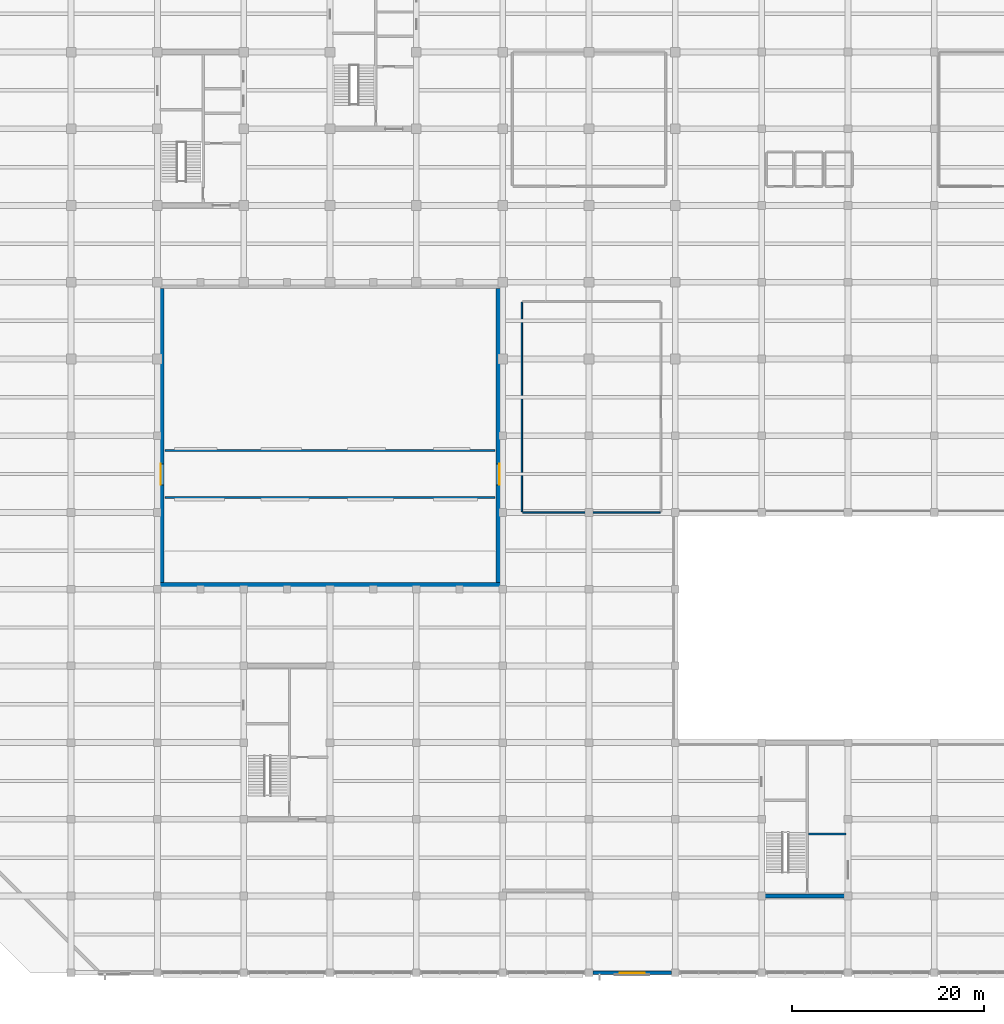
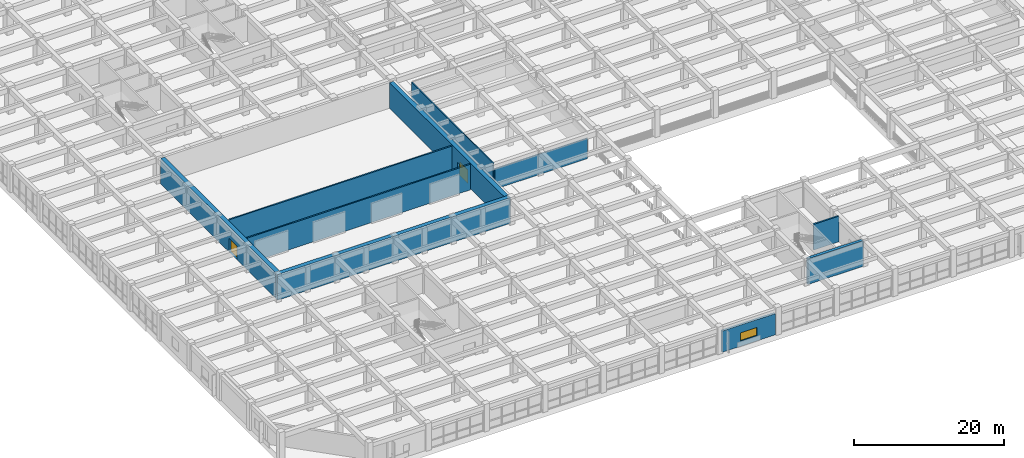
# One storey, part 26 of 50: 10 walls, 2 doors, 1 window, 3 openings.
"""IFC4 building model written with IfcOpenShell, lengths in metres."""

from ifc_helpers import new_model, si_unit, direction, frame, frame_2d, origin, place, context, subcontext, project, spatial, rectangle, extrude, material, layer, layer_set, type_object, element, fill, save


model = new_model("IFC4")

# Units and contexts
model_context = context("Model", 3, precision=1e-05, world=origin(), true_north=direction((0.0, 1.0)))
body_context = subcontext(model_context, "Body", "Model", "MODEL_VIEW")
ifc_project = project(units=[si_unit("LENGTHUNIT", "METRE"), si_unit("AREAUNIT", "SQUARE_METRE"), si_unit("VOLUMEUNIT", "CUBIC_METRE"), si_unit("PLANEANGLEUNIT", "RADIAN"), si_unit("MASSUNIT", "GRAM", prefix="KILO")], contexts=[model_context])

# Site, building, storey
site_placement = place(None, origin())
site = spatial("IfcSite", under=ifc_project, at=site_placement, CompositionType="ELEMENT")
building_placement = place(site_placement, origin())
building = spatial("IfcBuilding", under=site, at=building_placement, Name="Zaverband Oceanarium and Marine Research Institute", CompositionType="ELEMENT")
storey_placement = place(building_placement, frame((0.0, 0.0, 4.5)))
storey = spatial("IfcBuildingStorey", under=building, at=storey_placement, Name="L01", CompositionType="ELEMENT", Elevation=4.5)

# Wall
ifc_material_1 = material(Name="Concrete C50/60", Category="concrete")
ifc_layer_1 = layer(ifc_material_1, 0.449951171875, Name="Concrete C50/60")
ifc_layer_set_1 = layer_set([ifc_layer_1], Name="Concrete C50/60")
wall_type_1 = type_object("IfcWallType", Name="CW-02", PredefinedType="SHEAR", material=ifc_layer_set_1)
wall_1_placement = place(storey_placement, frame((81.22509765625, 8.0, 0.0), z_axis=(0.0, 0.0, 1.0), x_axis=(1.0, 0.0, 0.0)))
element("IfcWall", 1, at=wall_1_placement, inside=storey, type_object=wall_type_1, Name="Structural shear wall CW-02", PredefinedType="SHEAR", context=body_context, shape_type="SweptSolid", body=[
    extrude(rectangle(XDim=8.5498046875, YDim=0.449951171875, at=frame_2d((4.27490234375, 0.0))), origin(), (0.0, 0.0, 1.0), 4.179931640625),
])

# Wall, opening, window
ifc_material_2 = material(Name="Concrete C40/50 precast", Category="concrete")
ifc_layer_2 = layer(ifc_material_2, 0.340087890625, Name="Concrete C40/50 precast")
ifc_layer_set_2 = layer_set([ifc_layer_2], Name="Concrete C40/50 precast")
wall_type_2 = type_object("IfcWallType", Name="EW-340", PredefinedType="STANDARD", material=ifc_layer_set_2)
wall_2_placement = place(storey_placement, frame((63.405029296875, 0.0, 0.0), z_axis=(0.0, 0.0, 1.0), x_axis=(1.0, 0.0, 0.0)))
wall_2 = element("IfcWall", 2, at=wall_2_placement, inside=storey, type_object=wall_type_2, Name="Exterior infill wall EW-340", PredefinedType="STANDARD", context=body_context, shape_type="SweptSolid", body=[
    extrude(rectangle(XDim=8.18994140625, YDim=0.340087890625, at=frame_2d((4.094970703125, 0.0))), origin(), (0.0, 0.0, 1.0), 3.4599609375),
])
opening_1_placement = place(wall_2_placement, frame((2.794921875, 0.0, 0.85009765625)))
opening_1 = element("IfcOpeningElement", 3, at=opening_1_placement, cuts=wall_2, Name="Opening WN-2600x1350", PredefinedType="OPENING", context=body_context, shape_type="SweptSolid", body=[
    extrude(rectangle(XDim=2.60009765625, YDim=1.35009765625, at=frame_2d((1.300048828125, 0.675048828125))), frame((0.0, 0.18212890625, 0.0), z_axis=(0.0, -1.0, 0.0), x_axis=(1.0, 0.0, 0.0)), (0.0, 0.0, 1.0), 0.364013671875),
])
ifc_material_3 = material(Name="Thermally broken anodized aluminium and solar-control glass", Category="aluminium")
window_type = type_object("IfcWindowType", Name="WN-2600x1350", PartitioningType="SINGLE_PANEL", PredefinedType="WINDOW", material=ifc_material_3)
window_placement = place(opening_1_placement, origin())
window = element("IfcWindow", 4, at=window_placement, inside=storey, type_object=window_type, Name="Fixed / casement exterior window WN-2600x1350", OverallHeight=1.35009765625, OverallWidth=2.60009765625, PartitioningType="SINGLE_PANEL", PredefinedType="WINDOW", context=body_context, shape_type="SweptSolid", body=[
    extrude(rectangle(XDim=2.60009765625, YDim=1.35009765625, at=frame_2d((1.300048828125, 0.675048828125))), frame((0.0, 0.030029296875, 0.0), z_axis=(0.0, -1.0, 0.0), x_axis=(1.0, 0.0, 0.0)), (0.0, 0.0, 1.0), 0.06005859375),
])
fill(opening_1, window)

# Walls
ifc_material_4 = material(Name="Corridor rated drywall partition")
ifc_layer_3 = layer(ifc_material_4, 0.1650390625, Name="Corridor rated drywall partition")
ifc_layer_set_3 = layer_set([ifc_layer_3], Name="Corridor rated drywall partition")
wall_type_3 = type_object("IfcWallType", Name="PT-165-CR", PredefinedType="PARTITIONING", material=ifc_layer_set_3)
wall_3_placement = place(storey_placement, frame((56.08251953125, 48.0, 0.0), z_axis=(0.0, 0.0, 1.0), x_axis=(1.0, 0.0, 0.0)))
element("IfcWall", 5, at=wall_3_placement, inside=storey, type_object=wall_type_3, Name="Internal partition PT-165-CR", PredefinedType="PARTITIONING", context=body_context, shape_type="SweptSolid", body=[
    extrude(rectangle(XDim=14.3349609375, YDim=0.1650390625, at=frame_2d((7.16748046875, 0.0))), origin(), (0.0, 0.0, 1.0), 3.330078125),
])
wall_4_placement = place(storey_placement, frame((56.0, 48.08251953125, 0.0), z_axis=(0.0, 0.0, 1.0), x_axis=(0.0, 1.0, 0.0)))
element("IfcWall", 6, at=wall_4_placement, inside=storey, type_object=wall_type_3, Name="Internal partition PT-165-CR", PredefinedType="PARTITIONING", context=body_context, shape_type="SweptSolid", body=[
    extrude(rectangle(XDim=21.8349609375, YDim=0.1650390625, at=frame_2d((10.91748046875, 0.0))), origin(), (0.0, 0.0, 1.0), 4.179931640625),
])
ifc_material_5 = material(Name="Epoxy-coated marine blockwork", Category="masonry")
ifc_layer_4 = layer(ifc_material_5, 0.219970703125, Name="Epoxy-coated marine blockwork")
ifc_layer_set_4 = layer_set([ifc_layer_4], Name="Epoxy-coated marine blockwork")
wall_type_4 = type_object("IfcWallType", Name="PT-220-QT", PredefinedType="PARTITIONING", material=ifc_layer_set_4)
for number, where, z_axis, x_axis, name in (
    (7, (18.800048828125, 49.550048828125, 0.0), (0.0, 0.0, 1.0), (1.0, 0.0, 0.0), "Internal partition PT-220-QT"),
    (8, (18.800048828125, 54.449951171875, 0.0), (0.0, 0.0, 1.0), (1.0, 0.0, 0.0), "Internal partition PT-220-QT"),
):
    element("IfcWall", number, at=place(storey_placement, frame(where, z_axis=z_axis, x_axis=x_axis)), inside=storey, type_object=wall_type_4, Name=name, PredefinedType="PARTITIONING", context=body_context, shape_type="SweptSolid", body=[
        extrude(rectangle(XDim=34.39990234375, YDim=0.219970703125, at=frame_2d((17.199951171875, 0.0))), origin(), (0.0, 0.0, 1.0), 4.179931640625),
    ])
ifc_layer_5 = layer(ifc_material_1, 0.25, Name="Concrete C50/60")
ifc_layer_set_5 = layer_set([ifc_layer_5], Name="Concrete C50/60")
wall_type_5 = type_object("IfcWallType", Name="PW-CORE-250", PredefinedType="SOLIDWALL", material=ifc_layer_set_5)
wall_5_placement = place(storey_placement, frame((85.905029296875, 14.47509765625, 0.0), z_axis=(0.0, 0.0, 1.0), x_axis=(1.0, 0.0, 0.0)))
element("IfcWall", 9, at=wall_5_placement, inside=storey, type_object=wall_type_5, Name="Structural concrete wall PW-CORE-250", PredefinedType="SOLIDWALL", context=body_context, shape_type="SweptSolid", body=[
    extrude(rectangle(XDim=3.869873046875, YDim=0.25, at=frame_2d((1.93505859375, 0.0))), origin(), (0.0, 0.0, 1.0), 4.179931640625),
])
ifc_material_6 = material(Name="Concrete C45/55", Category="concrete")
ifc_layer_6 = layer(ifc_material_6, 0.64990234375, Name="Concrete C45/55")
ifc_layer_set_6 = layer_set([ifc_layer_6], Name="Concrete C45/55")
wall_type_6 = type_object("IfcWallType", Name="TW-01", PredefinedType="SHEAR", material=ifc_layer_set_6)
wall_6_placement = place(storey_placement, frame((18.02490234375, 40.35009765625, 0.0), z_axis=(0.0, 0.0, 1.0), x_axis=(1.0, 0.0, 0.0)))
element("IfcWall", 10, at=wall_6_placement, inside=storey, type_object=wall_type_6, Name="Marine tank wall TW-01", PredefinedType="SHEAR", context=body_context, shape_type="SweptSolid", body=[
    extrude(rectangle(XDim=35.9501953125, YDim=0.64990234375, at=frame_2d((17.97509765625, 0.0))), origin(), (0.0, 0.0, 1.0), 4.179931640625),
])

# Wall, opening, door
wall_7_placement = place(storey_placement, frame((18.35009765625, 40.675048828125, 0.0), z_axis=(0.0, 0.0, 1.0), x_axis=(0.0, 1.0, 0.0)))
wall_7 = element("IfcWall", 11, at=wall_7_placement, inside=storey, type_object=wall_type_6, Name="Marine tank wall TW-01", PredefinedType="SHEAR", context=body_context, shape_type="SweptSolid", body=[
    extrude(rectangle(XDim=30.64990234375, YDim=0.64990234375, at=frame_2d((15.324951171875, 0.0))), origin(), (0.0, 0.0, 1.0), 4.179931640625),
])
opening_2_placement = place(wall_7_placement, frame((10.199951171875, 0.0, 0.0)))
opening_2 = element("IfcOpeningElement", 12, at=opening_2_placement, cuts=wall_7, Name="Opening ID-2200x2200", PredefinedType="OPENING", context=body_context, shape_type="SweptSolid", body=[
    extrude(rectangle(XDim=2.199951171875, YDim=2.199951171875, at=frame_2d((1.10009765625, 1.10009765625))), frame((0.0, 0.3369140625, 0.0), z_axis=(0.0, -1.0, 0.0), x_axis=(1.0, 0.0, 0.0)), (0.0, 0.0, 1.0), 0.673828125),
])
ifc_material_7 = material(Name="Hardwood-veneered acoustic timber", Category="wood")
door_type = type_object("IfcDoorType", Name="ID-2200x2200", OperationType="DOUBLE_DOOR_SINGLE_SWING", PredefinedType="DOOR", material=ifc_material_7)
door_1_placement = place(opening_2_placement, origin())
door_1 = element("IfcDoor", 13, at=door_1_placement, inside=storey, type_object=door_type, Name="Gallery double public door ID-2200x2200", OperationType="DOUBLE_DOOR_SINGLE_SWING", OverallHeight=2.199951171875, OverallWidth=2.199951171875, PredefinedType="DOOR", context=body_context, shape_type="SweptSolid", body=[
    extrude(rectangle(XDim=2.199951171875, YDim=2.199951171875, at=frame_2d((1.10009765625, 1.10009765625))), frame((0.0, 0.02490234375, 0.0), z_axis=(0.0, -1.0, 0.0), x_axis=(1.0, 0.0, 0.0)), (0.0, 0.0, 1.0), 0.050048828125),
])
fill(opening_2, door_1)

wall_8_placement = place(storey_placement, frame((53.64990234375, 40.675048828125, 0.0), z_axis=(0.0, 0.0, 1.0), x_axis=(0.0, 1.0, 0.0)))
wall_8 = element("IfcWall", 14, at=wall_8_placement, inside=storey, type_object=wall_type_6, Name="Marine tank wall TW-01", PredefinedType="SHEAR", context=body_context, shape_type="SweptSolid", body=[
    extrude(rectangle(XDim=30.64990234375, YDim=0.64990234375, at=frame_2d((15.324951171875, 0.0))), origin(), (0.0, 0.0, 1.0), 4.179931640625),
])
opening_3_placement = place(wall_8_placement, frame((10.199951171875, 0.0, 0.0)))
opening_3 = element("IfcOpeningElement", 15, at=opening_3_placement, cuts=wall_8, Name="Opening ID-2200x2200", PredefinedType="OPENING", context=body_context, shape_type="SweptSolid", body=[
    extrude(rectangle(XDim=2.199951171875, YDim=2.199951171875, at=frame_2d((1.10009765625, 1.10009765625))), frame((0.0, 0.3369140625, 0.0), z_axis=(0.0, -1.0, 0.0), x_axis=(1.0, 0.0, 0.0)), (0.0, 0.0, 1.0), 0.673828125),
])
door_2_placement = place(opening_3_placement, origin())
door_2 = element("IfcDoor", 16, at=door_2_placement, inside=storey, type_object=door_type, Name="Gallery double public door ID-2200x2200", OperationType="DOUBLE_DOOR_SINGLE_SWING", OverallHeight=2.199951171875, OverallWidth=2.199951171875, PredefinedType="DOOR", context=body_context, shape_type="SweptSolid", body=[
    extrude(rectangle(XDim=2.199951171875, YDim=2.199951171875, at=frame_2d((1.10009765625, 1.10009765625))), frame((0.0, 0.02490234375, 0.0), z_axis=(0.0, -1.0, 0.0), x_axis=(1.0, 0.0, 0.0)), (0.0, 0.0, 1.0), 0.050048828125),
])
fill(opening_3, door_2)

save(model, "model.ifc")
